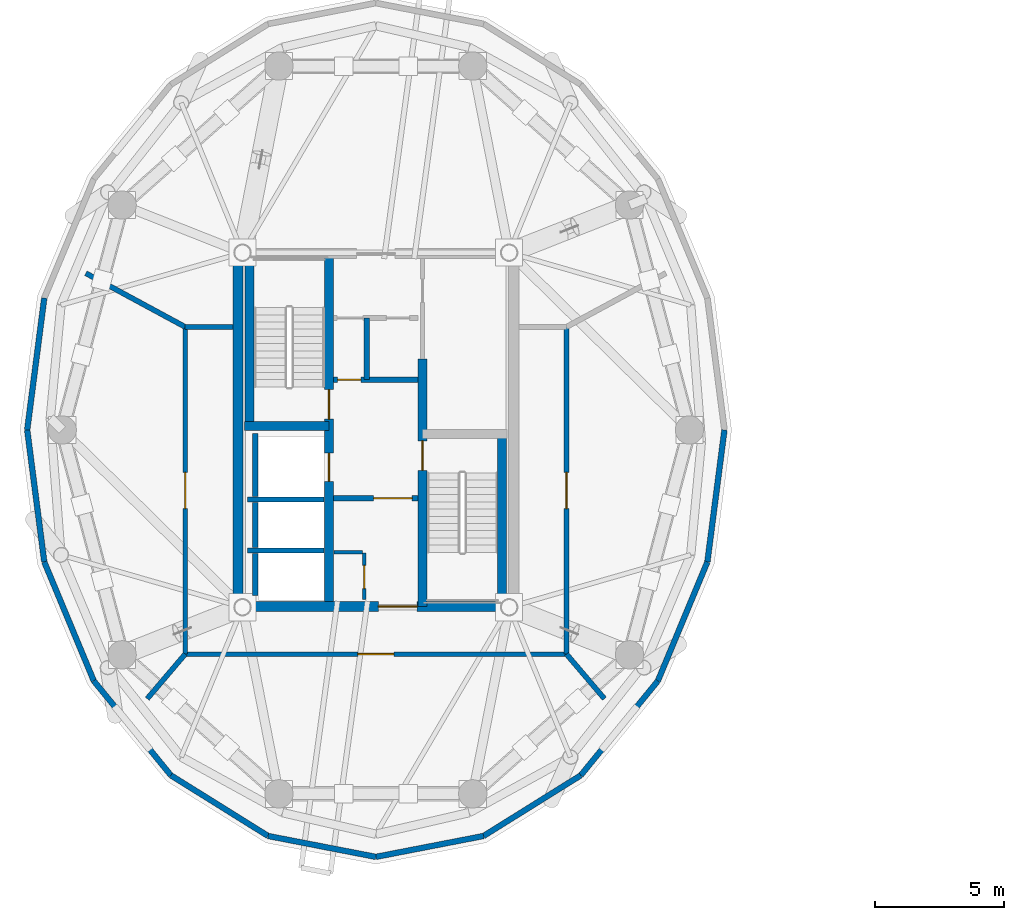
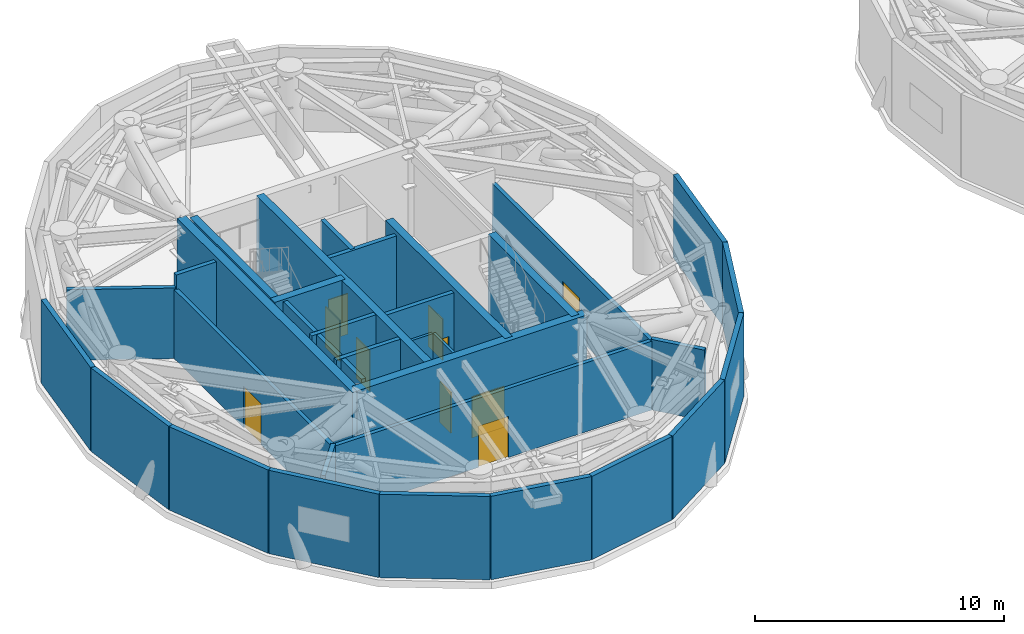
# One storey, part 8 of 14: 35 walls, 10 doors, 10 openings.
"""IFC4 building model written with IfcOpenShell, lengths in metres."""

from ifc_helpers import new_model, si_unit, direction, frame, frame_2d, origin, place, context, subcontext, project, spatial, rectangle, extrude, source, transform, mapped, material, layer, layer_set, type_object, element, fill, save


model = new_model("IFC4")

# Units and contexts
model_context = context("Model", 3, precision=1e-05, world=origin(), true_north=direction((0.0, 1.0)))
body_context = subcontext(model_context, "Body", "Model", "MODEL_VIEW")
ifc_project = project(units=[si_unit("LENGTHUNIT", "METRE"), si_unit("AREAUNIT", "SQUARE_METRE"), si_unit("VOLUMEUNIT", "CUBIC_METRE"), si_unit("PLANEANGLEUNIT", "RADIAN"), si_unit("MASSUNIT", "GRAM", prefix="KILO")], contexts=[model_context])

# Site, building, storey
site_placement = place(None, origin())
site = spatial("IfcSite", under=ifc_project, at=site_placement, CompositionType="ELEMENT")
building_placement = place(site_placement, origin())
building = spatial("IfcBuilding", under=site, at=building_placement, Name="Cununo Teusaquillo Station Towers", CompositionType="ELEMENT")
storey_placement = place(building_placement, frame((0.0, 0.0, 192.340087890625)))
storey = spatial("IfcBuildingStorey", under=building, at=storey_placement, Name="L61", CompositionType="ELEMENT", Elevation=192.340087890625)

# Walls
ifc_material_1 = material(Name="Concrete C50/60", Category="concrete")
ifc_layer_1 = layer(ifc_material_1, 0.199951171875)
ifc_layer_set_1 = layer_set([ifc_layer_1], Name="Concrete C50/60")
wall_type_1 = type_object("IfcWallType", Name="WL-CORE-200", PredefinedType="SHEAR", material=ifc_layer_set_1)
wall_1_placement = place(storey_placement, frame((11.52001953125, 21.800048828125, 0.0), z_axis=(0.0, 0.0, 1.0), x_axis=(1.0, 0.0, 0.0)))
element("IfcWall", 1, at=wall_1_placement, inside=storey, type_object=wall_type_1, Name="L61 Tower A Firefighting Lift Shaft South Shear Wall", PredefinedType="SHEAR", context=body_context, shape_type="SweptSolid", body=[
    extrude(rectangle(XDim=2.969970703125, YDim=0.199951171875, at=frame_2d((1.48486328125, 0.0))), origin(), (0.0, 0.0, 1.0), 4.31982421875),
])
wall_2_placement = place(storey_placement, frame((11.820068359375, 21.919921875, 0.0), z_axis=(0.0, 0.0, 1.0), x_axis=(0.0, 1.0, 0.0)))
element("IfcWall", 2, at=wall_2_placement, inside=storey, type_object=wall_type_1, Name="L61 Tower A Firefighting Lift Shaft Rear Shear Wall", PredefinedType="SHEAR", context=body_context, shape_type="SweptSolid", body=[
    extrude(rectangle(XDim=2.440185546875, YDim=0.199951171875, at=frame_2d((1.22021484375, 0.0))), origin(), (0.0, 0.0, 1.0), 4.31982421875),
])
wall_3_placement = place(storey_placement, frame((11.52001953125, 19.824951171875, 0.0), z_axis=(0.0, 0.0, 1.0), x_axis=(1.0, 0.0, 0.0)))
element("IfcWall", 3, at=wall_3_placement, inside=storey, type_object=wall_type_1, Name="L61 Tower A High-Rise Lift Hoistway Divider Shear Wall", PredefinedType="SHEAR", context=body_context, shape_type="SweptSolid", body=[
    extrude(rectangle(XDim=2.969970703125, YDim=0.199951171875, at=frame_2d((1.48486328125, 0.0))), origin(), (0.0, 0.0, 1.0), 4.31982421875),
])
wall_4_placement = place(storey_placement, frame((11.820068359375, 19.945068359375, 0.0), z_axis=(0.0, 0.0, 1.0), x_axis=(0.0, 1.0, 0.0)))
element("IfcWall", 4, at=wall_4_placement, inside=storey, type_object=wall_type_1, Name="L61 Tower A High-Rise Lift 2 Shaft Rear Shear Wall", PredefinedType="SHEAR", context=body_context, shape_type="SweptSolid", body=[
    extrude(rectangle(XDim=1.73486328125, YDim=0.199951171875, at=frame_2d((0.867431640625, 0.0))), origin(), (0.0, 0.0, 1.0), 4.31982421875),
])
wall_5_placement = place(storey_placement, frame((11.820068359375, 18.070068359375, 0.0), z_axis=(0.0, 0.0, 1.0), x_axis=(0.0, 1.0, 0.0)))
element("IfcWall", 5, at=wall_5_placement, inside=storey, type_object=wall_type_1, Name="L61 Tower A High-Rise Lift 1 Shaft Rear Shear Wall", PredefinedType="SHEAR", context=body_context, shape_type="SweptSolid", body=[
    extrude(rectangle(XDim=1.635009765625, YDim=0.199951171875, at=frame_2d((0.8173828125, 0.0))), origin(), (0.0, 0.0, 1.0), 4.31982421875),
])

# Wall, openings, doors
ifc_material_2 = material(Name="Concrete C50/60", Category="concrete")
ifc_layer_2 = layer(ifc_material_2, 0.35009765625)
ifc_layer_set_2 = layer_set([ifc_layer_2], Name="Concrete C50/60")
wall_type_2 = type_object("IfcWallType", Name="WL-CORE-350", PredefinedType="SHEAR", material=ifc_layer_set_2)
wall_6_placement = place(storey_placement, frame((14.68505859375, 17.64990234375, 0.0), z_axis=(0.0, 0.0, 1.0), x_axis=(0.0, 1.0, 0.0)))
wall_6 = element("IfcWall", 6, at=wall_6_placement, inside=storey, type_object=wall_type_2, Name="L61 Tower A Core Shear Wall IW", PredefinedType="SHEAR", context=body_context, shape_type="SweptSolid", body=[
    extrude(rectangle(XDim=13.7001953125, YDim=0.35009765625, at=frame_2d((6.85009765625, 0.0))), origin(), (0.0, 0.0, 1.0), 4.31982421875),
])
shared_shape_1 = source(origin(), body_context, "Body", "SweptSolid", [
    extrude(rectangle(XDim=1.10009765625, YDim=2.014892578125, at=frame_2d((0.550048828125, 1.00732421875))), frame((0.0, 0.18505859375, 0.0), z_axis=(0.0, -1.0, 0.0), x_axis=(1.0, 0.0, 0.0)), (0.0, 0.0, 1.0), 0.3701171875),
])
opening_1_placement = place(wall_6_placement, frame((4.85009765625, 0.0, 0.0)))
opening_1 = element("IfcOpeningElement", 7, at=opening_1_placement, cuts=wall_6, Name="Opening LD-01", PredefinedType="OPENING", context=body_context, shape_type="MappedRepresentation", body=[
    mapped(shared_shape_1, transform((0.0, 0.0, 0.0), x_axis=(1.0, 0.0, 0.0), y_axis=(0.0, 1.0, 0.0), z_axis=(0.0, 0.0, 1.0), scale=1.0)),
])
shared_shape_2 = source(origin(), body_context, "Body", "SweptSolid", [
    extrude(rectangle(XDim=1.14990234375, YDim=2.02001953125, at=frame_2d((0.574951171875, 1.010009765625))), frame((0.0, 0.18505859375, 0.0), z_axis=(0.0, -1.0, 0.0), x_axis=(1.0, 0.0, 0.0)), (0.0, 0.0, 1.0), 0.3701171875),
])
opening_2_placement = place(wall_6_placement, frame((7.27001953125, 0.0, 0.0)))
opening_2 = element("IfcOpeningElement", 8, at=opening_2_placement, cuts=wall_6, Name="Opening D-ST1", PredefinedType="OPENING", context=body_context, shape_type="MappedRepresentation", body=[
    mapped(shared_shape_2, transform((0.0, 0.0, 0.0), x_axis=(1.0, 0.0, 0.0), y_axis=(0.0, 1.0, 0.0), z_axis=(0.0, 0.0, 1.0), scale=1.0)),
])
ifc_material_3 = material(Name="Galvanised fire-rated hollow steel door assembly", Category="steel")
door_type_1 = type_object("IfcDoorType", Name="DR-LIFT-1100", OperationType="SLIDING_TO_LEFT", PredefinedType="DOOR", material=ifc_material_3)
shared_shape_3 = source(origin(), body_context, "Body", "SweptSolid", [
    extrude(rectangle(XDim=1.10009765625, YDim=2.014892578125, at=frame_2d((0.550048828125, 1.00732421875))), frame((0.0, 0.02490234375, 0.0), z_axis=(0.0, -1.0, 0.0), x_axis=(1.0, 0.0, 0.0)), (0.0, 0.0, 1.0), 0.050048828125),
])
door_1_placement = place(opening_1_placement, origin())
door_1 = element("IfcDoor", 9, at=door_1_placement, inside=storey, type_object=door_type_1, Name="L61 Lift FL-T1 Sliding Landing Door", OperationType="SLIDING_TO_RIGHT", OverallHeight=2.014892578125, OverallWidth=1.10009765625, PredefinedType="DOOR", context=body_context, shape_type="MappedRepresentation", body=[
    mapped(shared_shape_3, transform((0.0, 0.0, 0.0), x_axis=(1.0, 0.0, 0.0), y_axis=(0.0, 1.0, 0.0), z_axis=(0.0, 0.0, 1.0), scale=1.0)),
])
fill(opening_1, door_1)
ifc_material_4 = material(Name="Galvanised fire-rated hollow steel door assembly", Category="steel")
door_type_2 = type_object("IfcDoorType", Name="DR-STAIR-1150", OperationType="NOTDEFINED", PredefinedType="DOOR", material=ifc_material_4)
shared_shape_4 = source(origin(), body_context, "Body", "SweptSolid", [
    extrude(rectangle(XDim=1.14990234375, YDim=2.02001953125, at=frame_2d((0.574951171875, 1.010009765625))), frame((0.0, 0.02490234375, 0.0), z_axis=(0.0, -1.0, 0.0), x_axis=(1.0, 0.0, 0.0)), (0.0, 0.0, 1.0), 0.050048828125),
])
door_2_placement = place(opening_2_placement, origin())
door_2 = element("IfcDoor", 10, at=door_2_placement, inside=storey, type_object=door_type_2, Name="L61 Tower A Exit Stair 1 Fire Door", OperationType="SINGLE_SWING_RIGHT", OverallHeight=2.02001953125, OverallWidth=1.14990234375, PredefinedType="DOOR", context=body_context, shape_type="MappedRepresentation", body=[
    mapped(shared_shape_4, transform((0.0, 0.0, 0.0), x_axis=(1.0, 0.0, 0.0), y_axis=(0.0, 1.0, 0.0), z_axis=(0.0, 0.0, 1.0), scale=1.0)),
])
fill(opening_2, door_2)

# Wall, opening, door
wall_7_placement = place(storey_placement, frame((18.31494140625, 17.64990234375, 0.0), z_axis=(0.0, 0.0, 1.0), x_axis=(0.0, 1.0, 0.0)))
wall_7 = element("IfcWall", 11, at=wall_7_placement, inside=storey, type_object=wall_type_2, Name="L61 Tower A Core Shear Wall IE", PredefinedType="SHEAR", context=body_context, shape_type="SweptSolid", body=[
    extrude(rectangle(XDim=9.60009765625, YDim=0.35009765625, at=frame_2d((4.800048828125, 0.0))), origin(), (0.0, 0.0, 1.0), 4.31982421875),
])
opening_3_placement = place(wall_7_placement, frame((5.280029296875, 0.0, 0.0)))
opening_3 = element("IfcOpeningElement", 12, at=opening_3_placement, cuts=wall_7, Name="Opening D-ST1", PredefinedType="OPENING", context=body_context, shape_type="MappedRepresentation", body=[
    mapped(shared_shape_2, transform((0.0, 0.0, 0.0), x_axis=(1.0, 0.0, 0.0), y_axis=(0.0, 1.0, 0.0), z_axis=(0.0, 0.0, 1.0), scale=1.0)),
])
door_3_placement = place(opening_3_placement, origin())
door_3 = element("IfcDoor", 13, at=door_3_placement, inside=storey, type_object=door_type_2, Name="L61 Tower A Exit Stair 2 Fire Door", OperationType="SINGLE_SWING_LEFT", OverallHeight=2.02001953125, OverallWidth=1.14990234375, PredefinedType="DOOR", context=body_context, shape_type="MappedRepresentation", body=[
    mapped(shared_shape_4, transform((0.0, 0.0, 0.0), x_axis=(1.0, 0.0, 0.0), y_axis=(0.0, 1.0, 0.0), z_axis=(0.0, 0.0, 1.0), scale=1.0)),
])
fill(opening_3, door_3)

# Walls
wall_8_placement = place(storey_placement, frame((11.594970703125, 24.655029296875, 0.0), z_axis=(0.0, 0.0, 1.0), x_axis=(0.0, 1.0, 0.0)))
element("IfcWall", 14, at=wall_8_placement, inside=storey, type_object=wall_type_2, Name="L61 Tower A Core Shear Wall ST1W", PredefinedType="SHEAR", context=body_context, shape_type="SweptSolid", body=[
    extrude(rectangle(XDim=6.695068359375, YDim=0.35009765625, at=frame_2d((3.34765625, 0.0))), origin(), (0.0, 0.0, 1.0), 4.31982421875),
])
wall_9_placement = place(storey_placement, frame((11.39990234375, 24.655029296875, 0.0), z_axis=(0.0, 0.0, 1.0), x_axis=(1.0, 0.0, 0.0)))
element("IfcWall", 15, at=wall_9_placement, inside=storey, type_object=wall_type_2, Name="L61 Tower A Core Shear Wall ST1S", PredefinedType="SHEAR", context=body_context, shape_type="SweptSolid", body=[
    extrude(rectangle(XDim=3.28515625, YDim=0.35009765625, at=frame_2d((1.642578125, 0.0))), origin(), (0.0, 0.0, 1.0), 4.31982421875),
])
wall_10_placement = place(storey_placement, frame((21.405029296875, 17.64990234375, 0.0), z_axis=(0.0, 0.0, 1.0), x_axis=(0.0, 1.0, 0.0)))
element("IfcWall", 16, at=wall_10_placement, inside=storey, type_object=wall_type_2, Name="L61 Tower A Core Shear Wall ST2E", PredefinedType="SHEAR", context=body_context, shape_type="SweptSolid", body=[
    extrude(rectangle(XDim=6.695068359375, YDim=0.35009765625, at=frame_2d((3.34765625, 0.0))), origin(), (0.0, 0.0, 1.0), 4.31982421875),
])
ifc_material_5 = material(Name="Concrete C50/60", Category="concrete")
ifc_layer_3 = layer(ifc_material_5, 0.39990234375)
ifc_layer_set_3 = layer_set([ifc_layer_3], Name="Concrete C50/60")
wall_type_3 = type_object("IfcWallType", Name="WL-CORE-400", PredefinedType="SHEAR", material=ifc_layer_set_3)
wall_11_placement = place(storey_placement, frame((11.14990234375, 17.449951171875, 0.0), z_axis=(0.0, 0.0, 1.0), x_axis=(0.0, 1.0, 0.0)))
element("IfcWall", 17, at=wall_11_placement, inside=storey, type_object=wall_type_3, Name="L61 Tower A Core Shear Wall W", PredefinedType="SHEAR", context=body_context, shape_type="SweptSolid", body=[
    extrude(rectangle(XDim=14.10009765625, YDim=0.39990234375, at=frame_2d((7.050048828125, 0.0))), origin(), (0.0, 0.0, 1.0), 4.31982421875),
])

# Wall, opening, door
wall_12_placement = place(storey_placement, frame((11.14990234375, 17.64990234375, 0.0), z_axis=(0.0, 0.0, 1.0), x_axis=(1.0, 0.0, 0.0)))
wall_12 = element("IfcWall", 18, at=wall_12_placement, inside=storey, type_object=wall_type_3, Name="L61 Tower A Core Shear Wall S", PredefinedType="SHEAR", context=body_context, shape_type="SweptSolid", body=[
    extrude(rectangle(XDim=10.7001953125, YDim=0.39990234375, at=frame_2d((5.35009765625, 0.0))), origin(), (0.0, 0.0, 1.0), 4.31982421875),
])
shared_shape_5 = source(origin(), body_context, "Body", "SweptSolid", [
    extrude(rectangle(XDim=1.5, YDim=2.02001953125, at=frame_2d((0.75, 1.010009765625))), frame((0.0, 0.2099609375, 0.0), z_axis=(0.0, -1.0, 0.0), x_axis=(1.0, 0.0, 0.0)), (0.0, 0.0, 1.0), 0.419921875),
])
opening_4_placement = place(wall_12_placement, frame((5.449951171875, 0.0, 0.0)))
opening_4 = element("IfcOpeningElement", 19, at=opening_4_placement, cuts=wall_12, Name="Opening D-LB1", PredefinedType="OPENING", context=body_context, shape_type="MappedRepresentation", body=[
    mapped(shared_shape_5, transform((0.0, 0.0, 0.0), x_axis=(1.0, 0.0, 0.0), y_axis=(0.0, 1.0, 0.0), z_axis=(0.0, 0.0, 1.0), scale=1.0)),
])
ifc_material_6 = material(Name="Galvanised fire-rated hollow steel door assembly", Category="steel")
door_type_3 = type_object("IfcDoorType", Name="DR-LOBBY-1500", OperationType="DOUBLE_DOOR_SINGLE_SWING", PredefinedType="DOOR", material=ifc_material_6)
shared_shape_6 = source(origin(), body_context, "Body", "SweptSolid", [
    extrude(rectangle(XDim=1.5, YDim=2.02001953125, at=frame_2d((0.75, 1.010009765625))), frame((0.0, 0.02490234375, 0.0), z_axis=(0.0, -1.0, 0.0), x_axis=(1.0, 0.0, 0.0)), (0.0, 0.0, 1.0), 0.050048828125),
])
door_4_placement = place(opening_4_placement, origin())
door_4 = element("IfcDoor", 20, at=door_4_placement, inside=storey, type_object=door_type_3, Name="L61 Tower A South Core Lift Lobby Door", OperationType="DOUBLE_DOOR_SINGLE_SWING", OverallHeight=2.02001953125, OverallWidth=1.5, PredefinedType="DOOR", context=body_context, shape_type="MappedRepresentation", body=[
    mapped(shared_shape_6, transform((0.0, 0.0, 0.0), x_axis=(1.0, 0.0, 0.0), y_axis=(0.0, 1.0, 0.0), z_axis=(0.0, 0.0, 1.0), scale=1.0)),
])
fill(opening_4, door_4)

# Walls
ifc_material_7 = material(Name="Precast concrete C40/50", Category="concrete")
ifc_layer_4 = layer(ifc_material_7, 0.219970703125)
ifc_layer_set_4 = layer_set([ifc_layer_4], Name="Precast concrete C40/50")
wall_type_4 = type_object("IfcWallType", Name="WL-EXT-220", PredefinedType="SOLIDWALL", material=ifc_layer_set_4)
for number, where, z_axis, x_axis, name in (
    (21, (2.968994140625, 24.5, 0.0), (0.0, 0.0, 1.0), (0.128287912609, 0.991736966881, 0.0), "L61 Tower A Exterior Facade Wall C09"),
    (22, (3.63134765625, 19.379638671875, 0.0), (0.0, 0.0, 1.0), (-0.128287912609, 0.991736966881, 0.0), "L61 Tower A Exterior Facade Wall C10"),
):
    element("IfcWall", number, at=place(storey_placement, frame(where, z_axis=z_axis, x_axis=x_axis)), inside=storey, type_object=wall_type_4, Name=name, PredefinedType="SOLIDWALL", context=body_context, shape_type="SweptSolid", body=[
        extrude(rectangle(XDim=5.1630859375, YDim=0.219970703125, at=frame_2d((2.58154296875, 0.0))), origin(), (0.0, 0.0, 1.0), 4.094970703125),
    ])
wall_13_placement = place(storey_placement, frame((5.55322265625, 14.760498046875, 0.0), z_axis=(0.0, 0.0, 1.0), x_axis=(-0.384144094086, 0.923273152961, 0.0)))
element("IfcWall", 23, at=wall_13_placement, inside=storey, type_object=wall_type_4, Name="L61 Tower A Exterior Facade Wall C11", PredefinedType="SOLIDWALL", context=body_context, shape_type="SweptSolid", body=[
    extrude(rectangle(XDim=5.0029296875, YDim=0.219970703125, at=frame_2d((2.50146484375, 0.0))), origin(), (0.0, 0.0, 1.0), 4.094970703125),
])
wall_14_placement = place(storey_placement, frame((8.546630859375, 11.094482421875, 0.0), z_axis=(0.0, 0.0, 1.0), x_axis=(-0.632470615287, 0.774584353572, 0.0)))
element("IfcWall", 24, at=wall_14_placement, inside=storey, type_object=wall_type_4, Name="L61 Tower A Exterior Facade Wall C12", PredefinedType="SOLIDWALL", context=body_context, shape_type="SweptSolid", body=[
    extrude(rectangle(XDim=4.73291015625, YDim=0.219970703125, at=frame_2d((2.366455078125, 0.0))), origin(), (0.0, 0.0, 1.0), 4.094970703125),
])
wall_15_placement = place(storey_placement, frame((12.318603515625, 8.740966796875, 0.0), z_axis=(0.0, 0.0, 1.0), x_axis=(-0.848399108042, 0.529357113368, 0.0)))
element("IfcWall", 25, at=wall_15_placement, inside=storey, type_object=wall_type_4, Name="L61 Tower A Exterior Facade Wall C13", PredefinedType="SOLIDWALL", context=body_context, shape_type="SweptSolid", body=[
    extrude(rectangle(XDim=4.446044921875, YDim=0.219970703125, at=frame_2d((2.22314453125, 0.0))), origin(), (0.0, 0.0, 1.0), 4.094970703125),
])
for number, where, z_axis, x_axis, name in (
    (26, (16.5, 7.929931640625, 0.0), (0.0, 0.0, 1.0), (-0.981703883443, 0.190413983815, 0.0), "L61 Tower A Exterior Facade Wall C14"),
    (27, (20.681396484375, 8.740966796875, 0.0), (0.0, 0.0, 1.0), (-0.981703883443, -0.190413983815, 0.0), "L61 Tower A Exterior Facade Wall C15"),
):
    element("IfcWall", number, at=place(storey_placement, frame(where, z_axis=z_axis, x_axis=x_axis)), inside=storey, type_object=wall_type_4, Name=name, PredefinedType="SOLIDWALL", context=body_context, shape_type="SweptSolid", body=[
        extrude(rectangle(XDim=4.25927734375, YDim=0.219970703125, at=frame_2d((2.129638671875, 0.0))), origin(), (0.0, 0.0, 1.0), 4.094970703125),
    ])
wall_16_placement = place(storey_placement, frame((24.453369140625, 11.094482421875, 0.0), z_axis=(0.0, 0.0, 1.0), x_axis=(-0.848399108042, -0.529357113368, 0.0)))
element("IfcWall", 28, at=wall_16_placement, inside=storey, type_object=wall_type_4, Name="L61 Tower A Exterior Facade Wall C16", PredefinedType="SOLIDWALL", context=body_context, shape_type="SweptSolid", body=[
    extrude(rectangle(XDim=4.446044921875, YDim=0.219970703125, at=frame_2d((2.22314453125, 0.0))), origin(), (0.0, 0.0, 1.0), 4.094970703125),
])
wall_17_placement = place(storey_placement, frame((27.44677734375, 14.760498046875, 0.0), z_axis=(0.0, 0.0, 1.0), x_axis=(-0.632470615287, -0.774584353572, 0.0)))
element("IfcWall", 29, at=wall_17_placement, inside=storey, type_object=wall_type_4, Name="L61 Tower A Exterior Facade Wall C17", PredefinedType="SOLIDWALL", context=body_context, shape_type="SweptSolid", body=[
    extrude(rectangle(XDim=4.73291015625, YDim=0.219970703125, at=frame_2d((2.366455078125, 0.0))), origin(), (0.0, 0.0, 1.0), 4.094970703125),
])
wall_18_placement = place(storey_placement, frame((29.36865234375, 19.379638671875, 0.0), z_axis=(0.0, 0.0, 1.0), x_axis=(-0.384144094086, -0.923273152961, 0.0)))
element("IfcWall", 30, at=wall_18_placement, inside=storey, type_object=wall_type_4, Name="L61 Tower A Exterior Facade Wall C18", PredefinedType="SOLIDWALL", context=body_context, shape_type="SweptSolid", body=[
    extrude(rectangle(XDim=5.0029296875, YDim=0.219970703125, at=frame_2d((2.50146484375, 0.0))), origin(), (0.0, 0.0, 1.0), 4.094970703125),
])
wall_19_placement = place(storey_placement, frame((30.031005859375, 24.5, 0.0), z_axis=(0.0, 0.0, 1.0), x_axis=(-0.128287912609, -0.991736966881, 0.0)))
element("IfcWall", 31, at=wall_19_placement, inside=storey, type_object=wall_type_4, Name="L61 Tower A Exterior Facade Wall C19", PredefinedType="SOLIDWALL", context=body_context, shape_type="SweptSolid", body=[
    extrude(rectangle(XDim=5.1630859375, YDim=0.219970703125, at=frame_2d((2.58154296875, 0.0))), origin(), (0.0, 0.0, 1.0), 4.094970703125),
])

# Wall, opening, door
ifc_material_8 = material(Name="Fire-rated gypsum plasterboard partition assembly", Category="gypsum")
ifc_layer_5 = layer(ifc_material_8, 0.125)
ifc_layer_set_5 = layer_set([ifc_layer_5], Name="Fire-rated gypsum plasterboard partition assembly")
wall_type_5 = type_object("IfcWallType", Name="WL-PART-125", PredefinedType="PARTITIONING", material=ifc_layer_set_5)
wall_20_placement = place(storey_placement, frame((16.050048828125, 17.919921875, 0.0), z_axis=(0.0, 0.0, 1.0), x_axis=(0.0, 1.0, 0.0)))
wall_20 = element("IfcWall", 32, at=wall_20_placement, inside=storey, type_object=wall_type_5, Name="L61 Tower A South-West Compact Store East Wall", PredefinedType="PARTITIONING", context=body_context, shape_type="SweptSolid", body=[
    extrude(rectangle(XDim=1.800048828125, YDim=0.125, at=frame_2d((0.89990234375, 0.0))), origin(), (0.0, 0.0, 1.0), 4.094970703125),
])
shared_shape_7 = source(origin(), body_context, "Body", "SweptSolid", [
    extrude(rectangle(XDim=0.89990234375, YDim=2.0048828125, at=frame_2d((0.449951171875, 1.00244140625))), frame((0.0, 0.072509765625, 0.0), z_axis=(0.0, -1.0, 0.0), x_axis=(1.0, 0.0, 0.0)), (0.0, 0.0, 1.0), 0.14501953125),
])
opening_5_placement = place(wall_20_placement, frame((0.419921875, 0.0, 0.0)))
opening_5 = element("IfcOpeningElement", 33, at=opening_5_placement, cuts=wall_20, Name="Opening D-SR1", PredefinedType="OPENING", context=body_context, shape_type="MappedRepresentation", body=[
    mapped(shared_shape_7, transform((0.0, 0.0, 0.0), x_axis=(1.0, 0.0, 0.0), y_axis=(0.0, 1.0, 0.0), z_axis=(0.0, 0.0, 1.0), scale=1.0)),
])
ifc_material_9 = material(Name="Galvanised fire-rated hollow steel door assembly", Category="steel")
door_type_4 = type_object("IfcDoorType", Name="DR-STORE-900", OperationType="NOTDEFINED", PredefinedType="DOOR", material=ifc_material_9)
shared_shape_8 = source(origin(), body_context, "Body", "SweptSolid", [
    extrude(rectangle(XDim=0.89990234375, YDim=2.0048828125, at=frame_2d((0.449951171875, 1.00244140625))), frame((0.0, 0.02490234375, 0.0), z_axis=(0.0, -1.0, 0.0), x_axis=(1.0, 0.0, 0.0)), (0.0, 0.0, 1.0), 0.050048828125),
])
door_5_placement = place(opening_5_placement, origin())
door_5 = element("IfcDoor", 34, at=door_5_placement, inside=storey, type_object=door_type_4, Name="L61 Tower A Core Electrical & Comms Store Door", OperationType="SINGLE_SWING_RIGHT", OverallHeight=2.0048828125, OverallWidth=0.89990234375, PredefinedType="DOOR", context=body_context, shape_type="MappedRepresentation", body=[
    mapped(shared_shape_8, transform((0.0, 0.0, 0.0), x_axis=(1.0, 0.0, 0.0), y_axis=(0.0, 1.0, 0.0), z_axis=(0.0, 0.0, 1.0), scale=1.0)),
])
fill(opening_5, door_5)

# Wall
wall_21_placement = place(storey_placement, frame((14.8798828125, 19.75, 0.0), z_axis=(0.0, 0.0, 1.0), x_axis=(1.0, 0.0, 0.0)))
element("IfcWall", 35, at=wall_21_placement, inside=storey, type_object=wall_type_5, Name="L61 Tower A South-West Compact Store North Wall", PredefinedType="PARTITIONING", context=body_context, shape_type="SweptSolid", body=[
    extrude(rectangle(XDim=1.10009765625, YDim=0.125, at=frame_2d((0.550048828125, 0.0))), origin(), (0.0, 0.0, 1.0), 4.094970703125),
])

# Wall, opening, door
ifc_material_10 = material(Name="Fire-rated gypsum plasterboard partition assembly", Category="gypsum")
ifc_layer_6 = layer(ifc_material_10, 0.179931640625)
ifc_layer_set_6 = layer_set([ifc_layer_6], Name="Fire-rated gypsum plasterboard partition assembly")
wall_type_6 = type_object("IfcWallType", Name="WL-PART-180", PredefinedType="PARTITIONING", material=ifc_layer_set_6)
wall_22_placement = place(storey_placement, frame((9.10009765625, 15.800048828125, 0.0), z_axis=(0.0, 0.0, 1.0), x_axis=(1.0, 0.0, 0.0)))
wall_22 = element("IfcWall", 36, at=wall_22_placement, inside=storey, type_object=wall_type_6, Name="L61 Tower A Protected Plant Corridor Wall S", PredefinedType="PARTITIONING", context=body_context, shape_type="SweptSolid", body=[
    extrude(rectangle(XDim=14.7998046875, YDim=0.179931640625, at=frame_2d((7.39990234375, 0.0))), origin(), (0.0, 0.0, 1.0), 3.385986328125),
])
shared_shape_9 = source(origin(), body_context, "Body", "SweptSolid", [
    extrude(rectangle(XDim=1.39990234375, YDim=2.02001953125, at=frame_2d((0.699951171875, 1.010009765625))), frame((0.0, 0.099853515625, 0.0), z_axis=(0.0, -1.0, 0.0), x_axis=(1.0, 0.0, 0.0)), (0.0, 0.0, 1.0), 0.199951171875),
])
opening_6_placement = place(wall_22_placement, frame((6.699951171875, 0.0, 0.0)))
opening_6 = element("IfcOpeningElement", 37, at=opening_6_placement, cuts=wall_22, Name="Opening D-PL1", PredefinedType="OPENING", context=body_context, shape_type="MappedRepresentation", body=[
    mapped(shared_shape_9, transform((0.0, 0.0, 0.0), x_axis=(1.0, 0.0, 0.0), y_axis=(0.0, 1.0, 0.0), z_axis=(0.0, 0.0, 1.0), scale=1.0)),
])
ifc_material_11 = material(Name="Galvanised fire-rated hollow steel door assembly", Category="steel")
door_type_5 = type_object("IfcDoorType", Name="DR-PLANT-1400", OperationType="NOTDEFINED", PredefinedType="DOOR", material=ifc_material_11)
shared_shape_10 = source(origin(), body_context, "Body", "SweptSolid", [
    extrude(rectangle(XDim=1.39990234375, YDim=2.02001953125, at=frame_2d((0.699951171875, 1.010009765625))), frame((0.0, 0.02490234375, 0.0), z_axis=(0.0, -1.0, 0.0), x_axis=(1.0, 0.0, 0.0)), (0.0, 0.0, 1.0), 0.050048828125),
])
door_6_placement = place(opening_6_placement, origin())
door_6 = element("IfcDoor", 38, at=door_6_placement, inside=storey, type_object=door_type_5, Name="L61 Tower A Plant Room S Double Door", OperationType="SINGLE_SWING_LEFT", OverallHeight=2.02001953125, OverallWidth=1.39990234375, PredefinedType="DOOR", context=body_context, shape_type="MappedRepresentation", body=[
    mapped(shared_shape_10, transform((0.0, 0.0, 0.0), x_axis=(1.0, 0.0, 0.0), y_axis=(0.0, 1.0, 0.0), z_axis=(0.0, 0.0, 1.0), scale=1.0)),
])
fill(opening_6, door_6)

wall_23_placement = place(storey_placement, frame((9.10009765625, 15.800048828125, 0.0), z_axis=(0.0, 0.0, 1.0), x_axis=(0.0, 1.0, 0.0)))
wall_23 = element("IfcWall", 39, at=wall_23_placement, inside=storey, type_object=wall_type_6, Name="L61 Tower A Protected Plant Corridor Wall W", PredefinedType="PARTITIONING", context=body_context, shape_type="SweptSolid", body=[
    extrude(rectangle(XDim=12.699951171875, YDim=0.179931640625, at=frame_2d((6.35009765625, 0.0))), origin(), (0.0, 0.0, 1.0), 3.385986328125),
])
opening_7_placement = place(wall_23_placement, frame((5.64990234375, 0.0, 0.0)))
opening_7 = element("IfcOpeningElement", 40, at=opening_7_placement, cuts=wall_23, Name="Opening D-PL1", PredefinedType="OPENING", context=body_context, shape_type="MappedRepresentation", body=[
    mapped(shared_shape_9, transform((0.0, 0.0, 0.0), x_axis=(1.0, 0.0, 0.0), y_axis=(0.0, 1.0, 0.0), z_axis=(0.0, 0.0, 1.0), scale=1.0)),
])
door_7_placement = place(opening_7_placement, origin())
door_7 = element("IfcDoor", 41, at=door_7_placement, inside=storey, type_object=door_type_5, Name="L61 Tower A Plant Room W Double Door", OperationType="SINGLE_SWING_RIGHT", OverallHeight=2.02001953125, OverallWidth=1.39990234375, PredefinedType="DOOR", context=body_context, shape_type="MappedRepresentation", body=[
    mapped(shared_shape_10, transform((0.0, 0.0, 0.0), x_axis=(1.0, 0.0, 0.0), y_axis=(0.0, 1.0, 0.0), z_axis=(0.0, 0.0, 1.0), scale=1.0)),
])
fill(opening_7, door_7)

wall_24_placement = place(storey_placement, frame((23.89990234375, 15.800048828125, 0.0), z_axis=(0.0, 0.0, 1.0), x_axis=(0.0, 1.0, 0.0)))
wall_24 = element("IfcWall", 42, at=wall_24_placement, inside=storey, type_object=wall_type_6, Name="L61 Tower A Protected Plant Corridor Wall E", PredefinedType="PARTITIONING", context=body_context, shape_type="SweptSolid", body=[
    extrude(rectangle(XDim=12.699951171875, YDim=0.179931640625, at=frame_2d((6.35009765625, 0.0))), origin(), (0.0, 0.0, 1.0), 3.385986328125),
])
opening_8_placement = place(wall_24_placement, frame((5.64990234375, 0.0, 0.0)))
opening_8 = element("IfcOpeningElement", 43, at=opening_8_placement, cuts=wall_24, Name="Opening D-PL1", PredefinedType="OPENING", context=body_context, shape_type="MappedRepresentation", body=[
    mapped(shared_shape_9, transform((0.0, 0.0, 0.0), x_axis=(1.0, 0.0, 0.0), y_axis=(0.0, 1.0, 0.0), z_axis=(0.0, 0.0, 1.0), scale=1.0)),
])
door_8_placement = place(opening_8_placement, origin())
door_8 = element("IfcDoor", 44, at=door_8_placement, inside=storey, type_object=door_type_5, Name="L61 Tower A Plant Room E Double Door", OperationType="SINGLE_SWING_LEFT", OverallHeight=2.02001953125, OverallWidth=1.39990234375, PredefinedType="DOOR", context=body_context, shape_type="MappedRepresentation", body=[
    mapped(shared_shape_10, transform((0.0, 0.0, 0.0), x_axis=(1.0, 0.0, 0.0), y_axis=(0.0, 1.0, 0.0), z_axis=(0.0, 0.0, 1.0), scale=1.0)),
])
fill(opening_8, door_8)

ifc_material_12 = material(Name="Fire-rated gypsum plasterboard partition assembly", Category="gypsum")
ifc_layer_7 = layer(ifc_material_12, 0.199951171875)
ifc_layer_set_7 = layer_set([ifc_layer_7], Name="Fire-rated gypsum plasterboard partition assembly")
wall_type_7 = type_object("IfcWallType", Name="WL-PART-200", PredefinedType="PARTITIONING", material=ifc_layer_set_7)
wall_25_placement = place(storey_placement, frame((14.860107421875, 21.85009765625, 0.0), z_axis=(0.0, 0.0, 1.0), x_axis=(1.0, 0.0, 0.0)))
wall_25 = element("IfcWall", 45, at=wall_25_placement, inside=storey, type_object=wall_type_7, Name="L61 Tower A Firefighting Lift Lobby South Fire Wall", PredefinedType="PARTITIONING", context=body_context, shape_type="SweptSolid", body=[
    extrude(rectangle(XDim=3.27978515625, YDim=0.199951171875, at=frame_2d((1.639892578125, 0.0))), origin(), (0.0, 0.0, 1.0), 4.094970703125),
])
shared_shape_11 = source(origin(), body_context, "Body", "SweptSolid", [
    extrude(rectangle(XDim=1.5, YDim=2.02001953125, at=frame_2d((0.75, 1.010009765625))), frame((0.0, 0.10986328125, 0.0), z_axis=(0.0, -1.0, 0.0), x_axis=(1.0, 0.0, 0.0)), (0.0, 0.0, 1.0), 0.219970703125),
])
opening_9_placement = place(wall_25_placement, frame((1.550048828125, 0.0, 0.0)))
opening_9 = element("IfcOpeningElement", 46, at=opening_9_placement, cuts=wall_25, Name="Opening D-LB1", PredefinedType="OPENING", context=body_context, shape_type="MappedRepresentation", body=[
    mapped(shared_shape_11, transform((0.0, 0.0, 0.0), x_axis=(1.0, 0.0, 0.0), y_axis=(0.0, 1.0, 0.0), z_axis=(0.0, 0.0, 1.0), scale=1.0)),
])
door_9_placement = place(opening_9_placement, origin())
door_9 = element("IfcDoor", 47, at=door_9_placement, inside=storey, type_object=door_type_3, Name="L61 Tower A Firefighting Lift Lobby South Fire Door", OperationType="DOUBLE_DOOR_SINGLE_SWING", OverallHeight=2.02001953125, OverallWidth=1.5, PredefinedType="DOOR", context=body_context, shape_type="MappedRepresentation", body=[
    mapped(shared_shape_6, transform((0.0, 0.0, 0.0), x_axis=(1.0, 0.0, 0.0), y_axis=(0.0, 1.0, 0.0), z_axis=(0.0, 0.0, 1.0), scale=1.0)),
])
fill(opening_9, door_9)

wall_26_placement = place(storey_placement, frame((14.860107421875, 26.449951171875, 0.0), z_axis=(0.0, 0.0, 1.0), x_axis=(1.0, 0.0, 0.0)))
wall_26 = element("IfcWall", 48, at=wall_26_placement, inside=storey, type_object=wall_type_7, Name="L61 Tower A Firefighting Lift Lobby North Fire Wall", PredefinedType="PARTITIONING", context=body_context, shape_type="SweptSolid", body=[
    extrude(rectangle(XDim=3.27978515625, YDim=0.199951171875, at=frame_2d((1.639892578125, 0.0))), origin(), (0.0, 0.0, 1.0), 4.094970703125),
])
shared_shape_12 = source(origin(), body_context, "Body", "SweptSolid", [
    extrude(rectangle(XDim=0.89990234375, YDim=2.0048828125, at=frame_2d((0.449951171875, 1.00244140625))), frame((0.0, 0.10986328125, 0.0), z_axis=(0.0, -1.0, 0.0), x_axis=(1.0, 0.0, 0.0)), (0.0, 0.0, 1.0), 0.219970703125),
])
opening_10_placement = place(wall_26_placement, frame((0.159912109375, 0.0, 0.0)))
opening_10 = element("IfcOpeningElement", 49, at=opening_10_placement, cuts=wall_26, Name="Opening D-SR1", PredefinedType="OPENING", context=body_context, shape_type="MappedRepresentation", body=[
    mapped(shared_shape_12, transform((0.0, 0.0, 0.0), x_axis=(1.0, 0.0, 0.0), y_axis=(0.0, 1.0, 0.0), z_axis=(0.0, 0.0, 1.0), scale=1.0)),
])
door_10_placement = place(opening_10_placement, origin())
door_10 = element("IfcDoor", 50, at=door_10_placement, inside=storey, type_object=door_type_4, Name="L61 Tower A Stair 1 Protected Vestibule South Door", OperationType="SINGLE_SWING_RIGHT", OverallHeight=2.0048828125, OverallWidth=0.89990234375, PredefinedType="DOOR", context=body_context, shape_type="MappedRepresentation", body=[
    mapped(shared_shape_8, transform((0.0, 0.0, 0.0), x_axis=(1.0, 0.0, 0.0), y_axis=(0.0, 1.0, 0.0), z_axis=(0.0, 0.0, 1.0), scale=1.0)),
])
fill(opening_10, door_10)

# Walls
wall_27_placement = place(storey_placement, frame((16.14990234375, 26.449951171875, 0.0), z_axis=(0.0, 0.0, 1.0), x_axis=(0.0, 1.0, 0.0)))
element("IfcWall", 51, at=wall_27_placement, inside=storey, type_object=wall_type_7, Name="L61 Tower A Stair 1 Vestibule Partition Wall", PredefinedType="PARTITIONING", context=body_context, shape_type="SweptSolid", body=[
    extrude(rectangle(XDim=2.400146484375, YDim=0.199951171875, at=frame_2d((1.2001953125, 0.0))), origin(), (0.0, 0.0, 1.0), 4.094970703125),
])
wall_28_placement = place(storey_placement, frame((9.10009765625, 28.5, 0.0), z_axis=(0.0, 0.0, 1.0), x_axis=(1.0, 0.0, 0.0)))
element("IfcWall", 52, at=wall_28_placement, inside=storey, type_object=wall_type_7, Name="L61 Tower A Sky Refuge Smoke-Stop Wall NW", PredefinedType="PARTITIONING", context=body_context, shape_type="SweptSolid", body=[
    extrude(rectangle(XDim=1.849853515625, YDim=0.199951171875, at=frame_2d((0.9248046875, 0.0))), origin(), (0.0, 0.0, 1.0), 4.094970703125),
])
wall_29_placement = place(storey_placement, frame((9.10009765625, 28.5, 0.0), z_axis=(0.0, 0.0, 1.0), x_axis=(-0.879711551958, 0.475507713242, 0.0)))
element("IfcWall", 53, at=wall_29_placement, inside=storey, type_object=wall_type_7, Name="L61 Tower A Compartment Radial Fire Wall Q1", PredefinedType="PARTITIONING", context=body_context, shape_type="SweptSolid", body=[
    extrude(rectangle(XDim=4.382568359375, YDim=0.199951171875, at=frame_2d((2.19140625, 0.0))), origin(), (0.0, 0.0, 1.0), 3.4658203125),
])
for number, where, z_axis, x_axis, name in (
    (54, (23.89990234375, 15.800048828125, 0.0), (0.0, 0.0, 1.0), (0.647910417059, -0.761716542729, 0.0), "L61 Tower A Compartment Radial Fire Wall Q3"),
    (55, (9.10009765625, 15.800048828125, 0.0), (0.0, 0.0, 1.0), (-0.647910417059, -0.761716542729, 0.0), "L61 Tower A Compartment Radial Fire Wall Q4"),
):
    element("IfcWall", number, at=place(storey_placement, frame(where, z_axis=z_axis, x_axis=x_axis)), inside=storey, type_object=wall_type_7, Name=name, PredefinedType="PARTITIONING", context=body_context, shape_type="SweptSolid", body=[
        extrude(rectangle(XDim=2.271728515625, YDim=0.199951171875, at=frame_2d((1.1357421875, 0.0))), origin(), (0.0, 0.0, 1.0), 3.4658203125),
    ])

save(model, "model.ifc")
